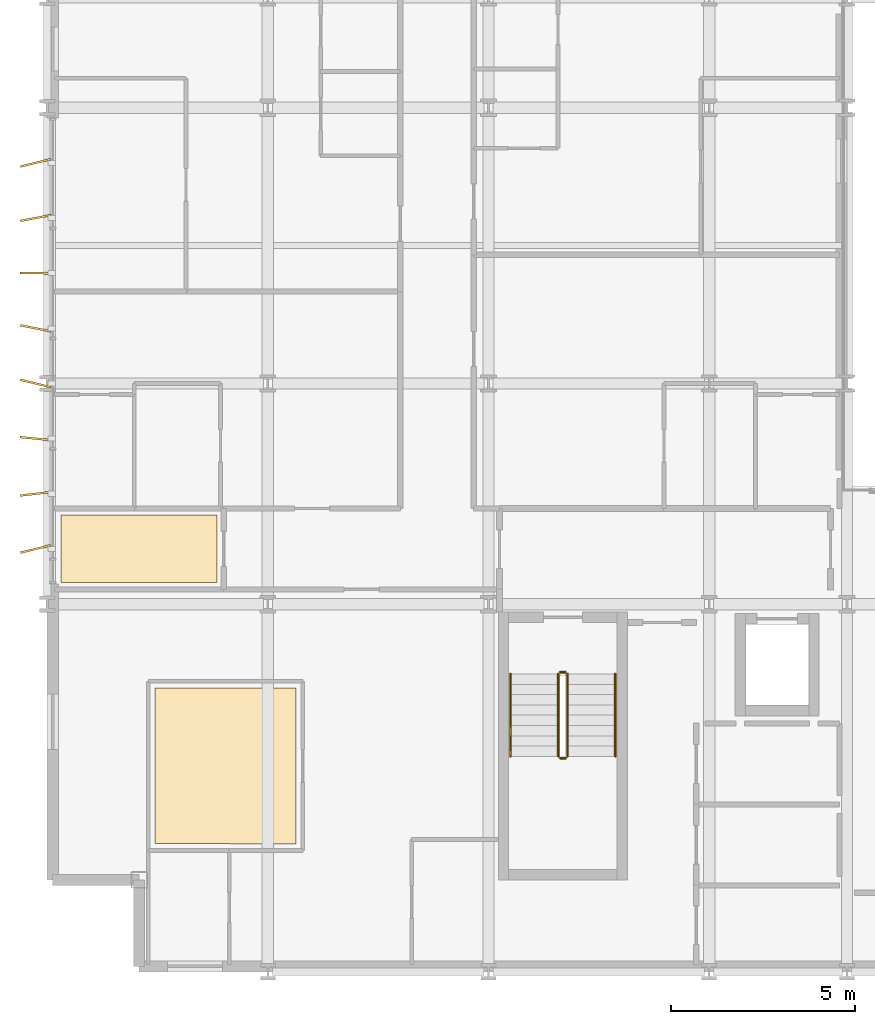
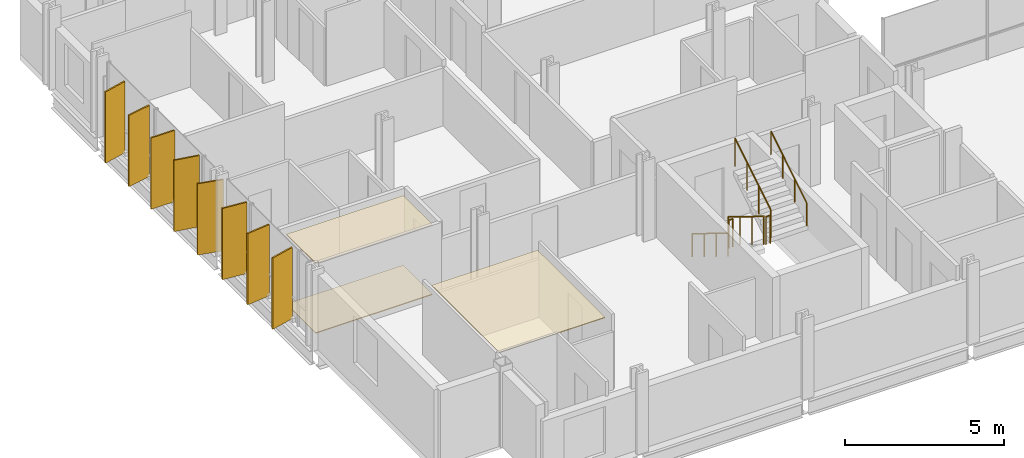
# One storey, part 35 of 38: 8 shading devices, 6 railings, 3 coverings.
"""IFC4 building model written with IfcOpenShell, lengths in metres."""

from ifc_helpers import new_model, si_unit, direction, frame, origin, origin_2d, place, context, subcontext, project, spatial, polyline, rectangle, circle, outline, extrude, material, layer, layer_set, type_object, element, save


model = new_model("IFC4")

# Units and contexts
model_context = context("Model", 3, precision=1e-05, world=origin(), true_north=direction((0.0, 1.0)))
body_context = subcontext(model_context, "Body", "Model", "MODEL_VIEW")
ifc_project = project(units=[si_unit("LENGTHUNIT", "METRE"), si_unit("AREAUNIT", "SQUARE_METRE"), si_unit("VOLUMEUNIT", "CUBIC_METRE"), si_unit("PLANEANGLEUNIT", "RADIAN"), si_unit("MASSUNIT", "GRAM", prefix="KILO")], contexts=[model_context])

# Site, building, storey
site_placement = place(None, origin())
site = spatial("IfcSite", under=ifc_project, at=site_placement, CompositionType="ELEMENT")
building_placement = place(site_placement, origin())
building = spatial("IfcBuilding", under=site, at=building_placement, Name="Brevholm Reach", CompositionType="ELEMENT")
storey_placement = place(building_placement, frame((0.0, 0.0, 52.800048828125)))
storey = spatial("IfcBuildingStorey", under=building, at=storey_placement, Name="L14", CompositionType="ELEMENT", Elevation=52.800048828125)

# Coverings
ifc_material_1 = material(Name="Moisture-Resistant Skimmed Gypsum Plasterboard Ceiling", Category="gypsum")
ifc_layer_1 = layer(ifc_material_1, 0.030029296875)
ifc_layer_set_1 = layer_set([ifc_layer_1], Name="Moisture-Resistant Skimmed Gypsum Plasterboard Ceiling")
covering_type_1 = type_object("IfcCoveringType", Name="COV-CLG-GYP", PredefinedType="CEILING", material=ifc_layer_set_1)
covering_1_placement = place(storey_placement, frame((0.0, 0.0, 2.669921875)))
element("IfcCovering", 1, at=covering_1_placement, inside=storey, type_object=covering_type_1, Name="L14 Suspended Ceiling L14-30", PredefinedType="CEILING", context=body_context, shape_type="SweptSolid", body=[
    extrude(outline(polyline([(2.929931640625, 7.719970703125), (6.77001953125, 7.719970703125), (6.77001953125, 3.47998046875), (4.984375, 3.47998046875), (4.982177734375, 3.48046875), (4.964599609375, 3.483154296875), (4.947021484375, 3.48388671875), (2.929931640625, 3.48388671875), (2.929931640625, 7.719970703125)])), origin(), (0.0, 0.0, 1.0), 0.030029296875),
])
covering_2_placement = place(storey_placement, frame((0.0, 0.0, 2.669921875)))
element("IfcCovering", 2, at=covering_2_placement, inside=storey, type_object=covering_type_1, Name="L14 Suspended Ceiling L14-32", PredefinedType="CEILING", context=body_context, shape_type="SweptSolid", body=[
    extrude(outline(polyline([(0.3798828125, 12.419921875), (4.615966796875, 12.419921875), (4.615966796875, 10.583984375), (0.3798828125, 10.583984375), (0.3798828125, 12.419921875)])), origin(), (0.0, 0.0, 1.0), 0.030029296875),
])
ifc_material_2 = material(Name="Honed Portland-Aggregate Resin Terrazzo Flooring", Category="concrete")
ifc_layer_2 = layer(ifc_material_2, 0.031982421875)
ifc_layer_set_2 = layer_set([ifc_layer_2], Name="Honed Portland-Aggregate Resin Terrazzo Flooring")
covering_type_2 = type_object("IfcCoveringType", Name="COV-FLR-TRZ", PredefinedType="FLOORING", material=ifc_layer_set_2)
covering_3_placement = place(storey_placement, origin())
element("IfcCovering", 3, at=covering_3_placement, inside=storey, type_object=covering_type_2, Name="L14 Floor Finish L14-32", PredefinedType="FLOORING", context=body_context, shape_type="SweptSolid", body=[
    extrude(outline(polyline([(0.3798828125, 12.419921875), (4.615966796875, 12.419921875), (4.615966796875, 10.583984375), (0.3798828125, 10.583984375), (0.3798828125, 12.419921875)])), origin(), (0.0, 0.0, 1.0), 0.031982421875),
])

# Railings
ifc_material_3 = material(Name="Brushed Stainless Steel EN 1.4401 Continuous Handrail", Category="steel")
railing_type_1 = type_object("IfcRailingType", Name="RAL-HND-950", PredefinedType="HANDRAIL", material=ifc_material_3)
railing_1_placement = place(storey_placement, frame((12.60009765625, 8.10009765625, 0.172119140625)))
element("IfcRailing", 4, at=railing_1_placement, inside=storey, type_object=railing_type_1, Name="L14 ST-1 stair handrail 1", PredefinedType="HANDRAIL", context=body_context, shape_type="SweptSolid", body=[
    extrude(circle(Radius=0.02392578125, at=origin_2d()), frame((0.0, 0.0, 0.8857421875), z_axis=(0.0, -0.851747552033, 0.523952390591), x_axis=(1.0, 0.0, 0.0)), (0.0, 0.0, 1.0), 2.6298828125),
    extrude(circle(Radius=0.02099609375, at=origin_2d()), origin(), (0.0, 0.0, 1.0), 0.86181640625),
    extrude(circle(Radius=0.02099609375, at=origin_2d()), frame((0.0, -0.74658203125, 0.459228515625)), (0.0, 0.0, 1.0), 0.86181640625),
    extrude(circle(Radius=0.02099609375, at=origin_2d()), frame((0.0, -1.493408203125, 0.918701171875)), (0.0, 0.0, 1.0), 0.86181640625),
    extrude(circle(Radius=0.02099609375, at=origin_2d()), frame((0.0, -2.239990234375, 1.3779296875)), (0.0, 0.0, 1.0), 0.86181640625),
])
railing_2_placement = place(storey_placement, frame((15.449951171875, 5.860107421875, 1.72216796875)))
element("IfcRailing", 5, at=railing_2_placement, inside=storey, type_object=railing_type_1, Name="L14 ST-1 stair handrail 2", PredefinedType="HANDRAIL", context=body_context, shape_type="SweptSolid", body=[
    extrude(circle(Radius=0.02392578125, at=origin_2d()), frame((0.0, 0.0, 0.8857421875), z_axis=(0.0, 0.85178898068, 0.523885037382), x_axis=(-1.0, 0.0, 0.0)), (0.0, 0.0, 1.0), 2.629638671875),
    extrude(circle(Radius=0.02099609375, at=origin_2d()), origin(), (0.0, 0.0, 1.0), 0.86181640625),
    extrude(circle(Radius=0.02099609375, at=origin_2d()), frame((0.0, 0.74658203125, 0.459228515625)), (0.0, 0.0, 1.0), 0.86181640625),
    extrude(circle(Radius=0.02099609375, at=origin_2d()), frame((0.0, 1.493408203125, 0.91845703125)), (0.0, 0.0, 1.0), 0.86181640625),
    extrude(circle(Radius=0.02099609375, at=origin_2d()), frame((0.0, 2.239990234375, 1.377685546875)), (0.0, 0.0, 1.0), 0.86181640625),
])
ifc_material_4 = material(Name="Painted Tubular Galvanised Steel S275JR Stair Guard", Category="steel")
railing_type_2 = type_object("IfcRailingType", Name="RAL-STG-1120", PredefinedType="BALUSTRADE", material=ifc_material_4)
railing_3_placement = place(storey_placement, frame((13.89990234375, 8.10009765625, 0.172119140625)))
element("IfcRailing", 6, at=railing_3_placement, inside=storey, type_object=railing_type_2, Name="L14 ST-1 stair guard 1", PredefinedType="BALUSTRADE", context=body_context, shape_type="SweptSolid", body=[
    extrude(circle(Radius=0.02392578125, at=origin_2d()), frame((0.0, 0.0, 1.076171875), z_axis=(0.0, -0.851747552033, 0.523952390591), x_axis=(1.0, 0.0, 0.0)), (0.0, 0.0, 1.0), 2.6298828125),
    extrude(circle(Radius=0.02099609375, at=origin_2d()), origin(), (0.0, 0.0, 1.0), 1.052001953125),
    extrude(circle(Radius=0.02099609375, at=origin_2d()), frame((0.0, -0.74658203125, 0.459228515625)), (0.0, 0.0, 1.0), 1.052001953125),
    extrude(circle(Radius=0.02099609375, at=origin_2d()), frame((0.0, -1.493408203125, 0.918701171875)), (0.0, 0.0, 1.0), 1.052001953125),
    extrude(circle(Radius=0.02099609375, at=origin_2d()), frame((0.0, -2.239990234375, 1.3779296875)), (0.0, 0.0, 1.0), 1.052001953125),
])
railing_4_placement = place(storey_placement, frame((13.949951171875, 5.81005859375, 1.550048828125)))
element("IfcRailing", 7, at=railing_4_placement, inside=storey, type_object=railing_type_2, Name="L14 ST-1 stair guard 2", PredefinedType="BALUSTRADE", context=body_context, shape_type="SweptSolid", body=[
    extrude(circle(Radius=0.02392578125, at=origin_2d()), frame((0.0, 0.0, 1.076171875), z_axis=(1.0, 0.0, 0.0), x_axis=(0.0, 1.0, 0.0)), (0.0, 0.0, 1.0), 0.150146484375),
    extrude(circle(Radius=0.02099609375, at=origin_2d()), origin(), (0.0, 0.0, 1.0), 1.052001953125),
    extrude(circle(Radius=0.02099609375, at=origin_2d()), frame((0.150146484375, 0.0, 0.0)), (0.0, 0.0, 1.0), 1.052001953125),
])
railing_5_placement = place(storey_placement, frame((14.14990234375, 5.860107421875, 1.72216796875)))
element("IfcRailing", 8, at=railing_5_placement, inside=storey, type_object=railing_type_2, Name="L14 ST-1 stair guard 3", PredefinedType="BALUSTRADE", context=body_context, shape_type="SweptSolid", body=[
    extrude(circle(Radius=0.02392578125, at=origin_2d()), frame((0.0, 0.0, 1.076171875), z_axis=(0.0, 0.85178898068, 0.523885037382), x_axis=(-1.0, 0.0, 0.0)), (0.0, 0.0, 1.0), 2.629638671875),
    extrude(circle(Radius=0.02099609375, at=origin_2d()), origin(), (0.0, 0.0, 1.0), 1.052001953125),
    extrude(circle(Radius=0.02099609375, at=origin_2d()), frame((0.0, 0.74658203125, 0.459228515625)), (0.0, 0.0, 1.0), 1.052001953125),
    extrude(circle(Radius=0.02099609375, at=origin_2d()), frame((0.0, 1.493408203125, 0.91845703125)), (0.0, 0.0, 1.0), 1.052001953125),
    extrude(circle(Radius=0.02099609375, at=origin_2d()), frame((0.0, 2.239990234375, 1.377685546875)), (0.0, 0.0, 1.0), 1.052001953125),
])
railing_6_placement = place(storey_placement, frame((13.949951171875, 8.14990234375, 0.0)))
element("IfcRailing", 9, at=railing_6_placement, inside=storey, type_object=railing_type_2, Name="L14 ST-1 stair guard 4", PredefinedType="BALUSTRADE", context=body_context, shape_type="SweptSolid", body=[
    extrude(circle(Radius=0.02392578125, at=origin_2d()), frame((0.0, 0.0, 1.076171875), z_axis=(1.0, 0.0, 0.0), x_axis=(0.0, 1.0, 0.0)), (0.0, 0.0, 1.0), 0.150146484375),
    extrude(circle(Radius=0.02099609375, at=origin_2d()), origin(), (0.0, 0.0, 1.0), 1.052001953125),
    extrude(circle(Radius=0.02099609375, at=origin_2d()), frame((0.150146484375, 0.0, 0.0)), (0.0, 0.0, 1.0), 1.052001953125),
])

# Shading devices
ifc_material_5 = material(Name="Perforated Champagne-Bronze Anodised Aluminium", Category="aluminium")
ifc_layer_3 = layer(ifc_material_5, 0.054931640625)
ifc_layer_set_3 = layer_set([ifc_layer_3], Name="Perforated Champagne-Bronze Anodised Aluminium")
shading_device_type = type_object("IfcShadingDeviceType", Name="SHD-FIN-850", PredefinedType="USERDEFINED", material=ifc_layer_set_3)
for number, where, z_axis, x_axis, name in (
    (10, (-0.31494140625, 11.5, 0.070068359375), (0.0, 0.0, 1.0), (-0.971325473841, -0.237753704216, 0.0), "L14 Perforated Solar Screen Fin 1"),
    (11, (-0.31494140625, 13.0, 0.070068359375), (0.0, 0.0, 1.0), (-0.993504504604, -0.11379279121, 0.0), "L14 Perforated Solar Screen Fin 2"),
    (12, (-0.31494140625, 14.5, 0.070068359375), (0.0, 0.0, 1.0), (-0.995217175668, 0.097687119194, 0.0), "L14 Perforated Solar Screen Fin 3"),
    (13, (-0.31494140625, 16.0, 0.070068359375), (0.0, 0.0, 1.0), (-0.972267968083, 0.233869618037, 0.0), "L14 Perforated Solar Screen Fin 4"),
    (14, (-0.31494140625, 17.5, 0.070068359375), (0.0, 0.0, 1.0), (-0.980754623587, 0.195244381, 0.0), "L14 Perforated Solar Screen Fin 5"),
    (15, (-0.31494140625, 19.0, 0.070068359375), (0.0, 0.0, 1.0), (-0.999959604194, 0.008988324616, 0.0), "L14 Perforated Solar Screen Fin 6"),
    (16, (-0.31494140625, 20.5, 0.070068359375), (0.0, 0.0, 1.0), (-0.98288072642, -0.1842429853, 0.0), "L14 Perforated Solar Screen Fin 7"),
    (17, (-0.31494140625, 22.0, 0.070068359375), (0.0, 0.0, 1.0), (-0.971325473841, -0.237753704216, 0.0), "L14 Perforated Solar Screen Fin 8"),
):
    element("IfcShadingDevice", number, at=place(storey_placement, frame(where, z_axis=z_axis, x_axis=x_axis)), inside=storey, type_object=shading_device_type, Name=name, ObjectType="SCREEN", PredefinedType="USERDEFINED", context=body_context, shape_type="SweptSolid", body=[
        extrude(rectangle(XDim=0.85009765625, YDim=0.054931640625, at=origin_2d()), origin(), (0.0, 0.0, 1.0), 2.72998046875),
    ])

save(model, "model.ifc")
